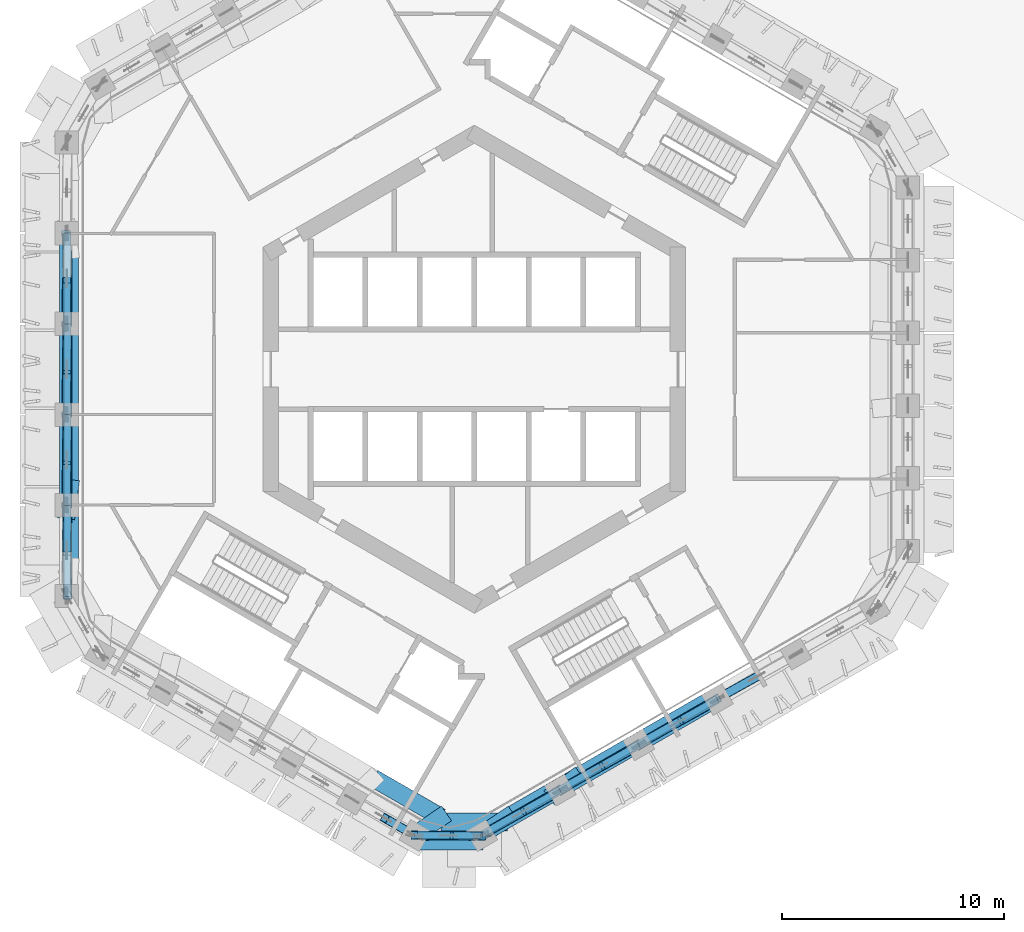
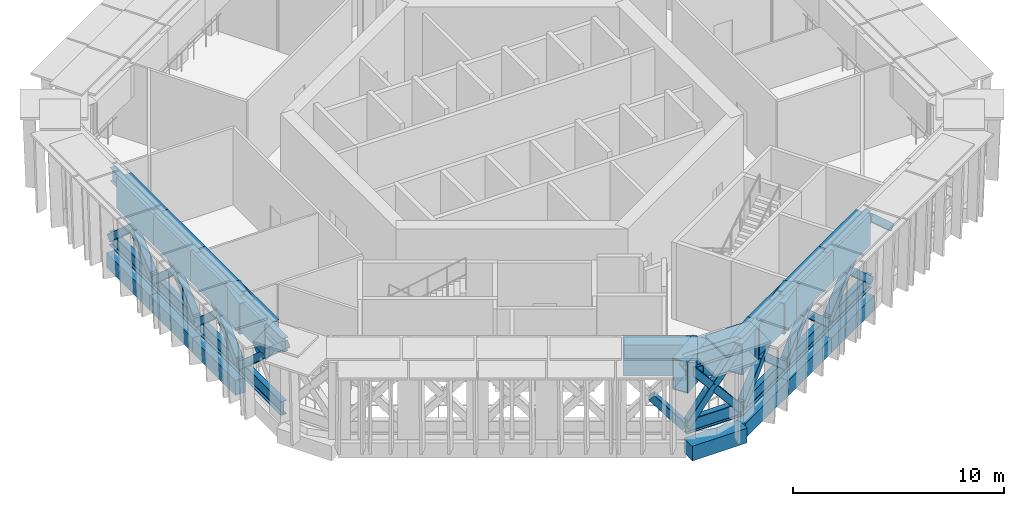
# One storey, part 2 of 18: 40 members, 20 beams.
"""IFC4 building model written with IfcOpenShell, lengths in metres."""

from ifc_helpers import new_model, si_unit, direction, frame, origin, origin_2d, place, context, subcontext, project, spatial, rectangle, hollow_rectangle, i_section, extrude, material, material_profile, profile_set, type_object, element, save


model = new_model("IFC4")

# Units and contexts
model_context = context("Model", 3, precision=1e-05, world=origin(), true_north=direction((0.0, 1.0)))
body_context = subcontext(model_context, "Body", "Model", "MODEL_VIEW")
ifc_project = project(units=[si_unit("LENGTHUNIT", "METRE"), si_unit("AREAUNIT", "SQUARE_METRE"), si_unit("VOLUMEUNIT", "CUBIC_METRE"), si_unit("PLANEANGLEUNIT", "RADIAN"), si_unit("MASSUNIT", "GRAM", prefix="KILO")], contexts=[model_context])

# Site, building, storey
site_placement = place(None, origin())
site = spatial("IfcSite", under=ifc_project, at=site_placement, CompositionType="ELEMENT")
building_placement = place(site_placement, origin())
building = spatial("IfcBuilding", under=site, at=building_placement, Name="Ayvan Gate Tower", CompositionType="ELEMENT")
storey_placement = place(building_placement, frame((0.0, 0.0, 147.89990234375)))
storey = spatial("IfcBuildingStorey", under=building, at=storey_placement, Name="L39", CompositionType="ELEMENT", Elevation=147.89990234375)

# Members
ifc_material_1 = material(Name="Steel S460NH", Category="steel")
ifc_material_profile_1 = material_profile(ifc_material_1, hollow_rectangle(XDim=0.39990234375, YDim=0.39990234375, WallThickness=0.02001953125, InnerFilletRadius=0.02001953125, OuterFilletRadius=0.030029296875, at=origin_2d()), Name="RHS 400x400x20")
ifc_profile_set_1 = profile_set([ifc_material_profile_1], Name="Steel S460NH")
member_type_1 = type_object("IfcMemberType", Name="Belt truss brace BT2 RHS 400x400x20", PredefinedType="BRACE", material=ifc_profile_set_1)
member_1_placement = place(storey_placement, frame((-18.347412109375, 6.10498046875, 0.400146484375), z_axis=(0.011666906722, -0.743821179521, 0.668276840975), x_axis=(0.999877011572, 0.015683167069, 0.0)))
element("IfcMember", 1, at=member_1_placement, inside=storey, type_object=member_type_1, Name="BT2-DA-20", PredefinedType="BRACE", context=body_context, shape_type="SweptSolid", body=[
    extrude(hollow_rectangle(XDim=0.39990234375, YDim=0.39990234375, WallThickness=0.02001953125, InnerFilletRadius=0.02001953125, OuterFilletRadius=0.030029296875, at=origin_2d()), origin(), (0.0, 0.0, 1.0), 5.461669921875),
])
member_2_placement = place(storey_placement, frame((-18.347412109375, 2.034912109375, 0.400146484375), z_axis=(0.011578375221, 0.746203126236, 0.665617634699), x_axis=(-0.999879642626, 0.015514517791, 0.0)))
element("IfcMember", 2, at=member_2_placement, inside=storey, type_object=member_type_1, Name="BT2-DB-20", PredefinedType="BRACE", context=body_context, shape_type="SweptSolid", body=[
    extrude(hollow_rectangle(XDim=0.39990234375, YDim=0.39990234375, WallThickness=0.02001953125, InnerFilletRadius=0.02001953125, OuterFilletRadius=0.030029296875, at=origin_2d()), origin(), (0.0, 0.0, 1.0), 2.6357421875),
])
member_3_placement = place(storey_placement, frame((-18.347412109375, 2.034912109375, 0.400146484375), z_axis=(0.011643272386, -0.745035602016, 0.666923073477), x_axis=(0.999877908192, 0.015625898691, 0.0)))
element("IfcMember", 3, at=member_3_placement, inside=storey, type_object=member_type_1, Name="BT2-DA-21", PredefinedType="BRACE", context=body_context, shape_type="SweptSolid", body=[
    extrude(hollow_rectangle(XDim=0.39990234375, YDim=0.39990234375, WallThickness=0.02001953125, InnerFilletRadius=0.02001953125, OuterFilletRadius=0.030029296875, at=origin_2d()), origin(), (0.0, 0.0, 1.0), 5.47265625),
])
member_4_placement = place(storey_placement, frame((-18.347412109375, -2.034912109375, 0.400146484375), z_axis=(0.011603131917, 0.745013894146, 0.666948022607), x_axis=(-0.999878741352, 0.015572494726, 0.0)))
element("IfcMember", 4, at=member_4_placement, inside=storey, type_object=member_type_1, Name="BT2-DB-21", PredefinedType="BRACE", context=body_context, shape_type="SweptSolid", body=[
    extrude(hollow_rectangle(XDim=0.39990234375, YDim=0.39990234375, WallThickness=0.02001953125, InnerFilletRadius=0.02001953125, OuterFilletRadius=0.030029296875, at=origin_2d()), origin(), (0.0, 0.0, 1.0), 2.630126953125),
])
member_5_placement = place(storey_placement, frame((-18.314453125, 0.075439453125, 2.289306640625), z_axis=(0.011651489409, 0.745048017182, 0.666909060434), x_axis=(-0.999877739909, 0.015636663178, 0.0)))
element("IfcMember", 5, at=member_5_placement, inside=storey, type_object=member_type_1, Name="BT2-DC-21", PredefinedType="BRACE", context=body_context, shape_type="SweptSolid", body=[
    extrude(hollow_rectangle(XDim=0.39990234375, YDim=0.39990234375, WallThickness=0.02001953125, InnerFilletRadius=0.02001953125, OuterFilletRadius=0.030029296875, at=origin_2d()), origin(), (0.0, 0.0, 1.0), 2.64013671875),
])
member_6_placement = place(storey_placement, frame((-18.347412109375, -2.034912109375, 0.400146484375), z_axis=(0.011619695406, -0.746242660541, 0.665572591283), x_axis=(0.999878795043, 0.015569046982, 0.0)))
element("IfcMember", 6, at=member_6_placement, inside=storey, type_object=member_type_1, Name="BT2-DA-22", PredefinedType="BRACE", context=body_context, shape_type="SweptSolid", body=[
    extrude(hollow_rectangle(XDim=0.39990234375, YDim=0.39990234375, WallThickness=0.02001953125, InnerFilletRadius=0.02001953125, OuterFilletRadius=0.030029296875, at=origin_2d()), origin(), (0.0, 0.0, 1.0), 5.48388671875),
])
member_7_placement = place(storey_placement, frame((-18.347412109375, -6.10498046875, 0.400146484375), z_axis=(0.011627152903, 0.743858734101, 0.668235731622), x_axis=(-0.999877860464, 0.015628952427, 0.0)))
element("IfcMember", 7, at=member_7_placement, inside=storey, type_object=member_type_1, Name="BT2-DB-22", PredefinedType="BRACE", context=body_context, shape_type="SweptSolid", body=[
    extrude(hollow_rectangle(XDim=0.39990234375, YDim=0.39990234375, WallThickness=0.02001953125, InnerFilletRadius=0.02001953125, OuterFilletRadius=0.030029296875, at=origin_2d()), origin(), (0.0, 0.0, 1.0), 2.624755859375),
])
member_8_placement = place(storey_placement, frame((-18.314453125, -4.001953125, 2.28955078125), z_axis=(0.011677129463, 0.743814611658, 0.668283972672), x_axis=(-0.999876793813, 0.015697044109, 0.0)))
element("IfcMember", 8, at=member_8_placement, inside=storey, type_object=member_type_1, Name="BT2-DC-22", PredefinedType="BRACE", context=body_context, shape_type="SweptSolid", body=[
    extrude(hollow_rectangle(XDim=0.39990234375, YDim=0.39990234375, WallThickness=0.02001953125, InnerFilletRadius=0.02001953125, OuterFilletRadius=0.030029296875, at=origin_2d()), origin(), (0.0, 0.0, 1.0), 2.63427734375),
])
member_9_placement = place(storey_placement, frame((-18.347412109375, -6.10498046875, 0.400146484375), z_axis=(0.011596560999, -0.747422793555, 0.664247459496), x_axis=(0.999879657962, 0.01551352935, 0.0)))
element("IfcMember", 9, at=member_9_placement, inside=storey, type_object=member_type_1, Name="BT2-DA-23", PredefinedType="BRACE", context=body_context, shape_type="SweptSolid", body=[
    extrude(hollow_rectangle(XDim=0.39990234375, YDim=0.39990234375, WallThickness=0.02001953125, InnerFilletRadius=0.02001953125, OuterFilletRadius=0.030029296875, at=origin_2d()), origin(), (0.0, 0.0, 1.0), 5.494873046875),
])
member_10_placement = place(storey_placement, frame((-18.314453125, -8.07958984375, 2.28955078125), z_axis=(0.011700500681, 0.742610348746, 0.669621511168), x_axis=(-0.99987589878, 0.015753953138, 0.0)))
element("IfcMember", 10, at=member_10_placement, inside=storey, type_object=member_type_1, Name="BT2-DC-23", PredefinedType="BRACE", context=body_context, shape_type="SweptSolid", body=[
    extrude(hollow_rectangle(XDim=0.39990234375, YDim=0.39990234375, WallThickness=0.02001953125, InnerFilletRadius=0.02001953125, OuterFilletRadius=0.030029296875, at=origin_2d()), origin(), (0.0, 0.0, 1.0), 2.629150390625),
])
member_11_placement = place(storey_placement, frame((-2.63818359375, -20.976806640625, 0.400146484375), z_axis=(-0.583277648818, 0.336747134572, 0.739181000667), x_axis=(-0.499990676028, -0.866030786915, 0.0)))
element("IfcMember", 11, at=member_11_placement, inside=storey, type_object=member_type_1, Name="BT2-DB-29", PredefinedType="BRACE", context=body_context, shape_type="SweptSolid", body=[
    extrude(hollow_rectangle(XDim=0.39990234375, YDim=0.39990234375, WallThickness=0.02001953125, InnerFilletRadius=0.02001953125, OuterFilletRadius=0.030029296875, at=origin_2d()), origin(), (0.0, 0.0, 1.0), 2.378662109375),
])
member_12_placement = place(storey_placement, frame((-2.63818359375, -20.976806640625, 0.400146484375), z_axis=(0.626834417574, 0.007817190109, 0.779113280906), x_axis=(-0.012469931585, 0.99992224738, 0.0)))
element("IfcMember", 12, at=member_12_placement, inside=storey, type_object=member_type_1, Name="BT2-DA-30", PredefinedType="BRACE", context=body_context, shape_type="SweptSolid", body=[
    extrude(hollow_rectangle(XDim=0.39990234375, YDim=0.39990234375, WallThickness=0.02001953125, InnerFilletRadius=0.02001953125, OuterFilletRadius=0.030029296875, at=origin_2d()), origin(), (0.0, 0.0, 1.0), 4.6845703125),
])
member_13_placement = place(storey_placement, frame((0.36181640625, -20.976806640625, 0.400146484375), z_axis=(-0.642911610942, 0.007713653722, 0.765901534182), x_axis=(-0.011997136858, -0.999928031764, 0.0)))
element("IfcMember", 13, at=member_13_placement, inside=storey, type_object=member_type_1, Name="BT2-DB-30", PredefinedType="BRACE", context=body_context, shape_type="SweptSolid", body=[
    extrude(hollow_rectangle(XDim=0.39990234375, YDim=0.39990234375, WallThickness=0.02001953125, InnerFilletRadius=0.02001953125, OuterFilletRadius=0.030029296875, at=origin_2d()), origin(), (0.0, 0.0, 1.0), 2.27880859375),
])
member_14_placement = place(storey_placement, frame((-1.23681640625, -20.957763671875, 2.3046875), z_axis=(-0.64284875267, 0.007714185032, 0.765954288806), x_axis=(-0.011999136093, -0.999928007775, 0.0)))
element("IfcMember", 14, at=member_14_placement, inside=storey, type_object=member_type_1, Name="BT2-DC-30", PredefinedType="BRACE", context=body_context, shape_type="SweptSolid", body=[
    extrude(hollow_rectangle(XDim=0.39990234375, YDim=0.39990234375, WallThickness=0.02001953125, InnerFilletRadius=0.02001953125, OuterFilletRadius=0.030029296875, at=origin_2d()), origin(), (0.0, 0.0, 1.0), 2.278564453125),
])
member_15_placement = place(storey_placement, frame((0.36181640625, -20.976806640625, 0.400146484375), z_axis=(0.637303793953, 0.381423790098, 0.669596719347), x_axis=(-0.513546543525, 0.858061738824, 0.0)))
element("IfcMember", 15, at=member_15_placement, inside=storey, type_object=member_type_1, Name="BT2-DA-31", PredefinedType="BRACE", context=body_context, shape_type="SweptSolid", body=[
    extrude(hollow_rectangle(XDim=0.39990234375, YDim=0.39990234375, WallThickness=0.02001953125, InnerFilletRadius=0.02001953125, OuterFilletRadius=0.030029296875, at=origin_2d()), origin(), (0.0, 0.0, 1.0), 5.450927734375),
])
member_16_placement = place(storey_placement, frame((3.88671875, -18.94189453125, 0.400146484375), z_axis=(-0.653078055112, -0.363653088296, 0.664263114514), x_axis=(0.486493181254, -0.873684373554, 0.0)))
element("IfcMember", 16, at=member_16_placement, inside=storey, type_object=member_type_1, Name="BT2-DB-31", PredefinedType="BRACE", context=body_context, shape_type="SweptSolid", body=[
    extrude(hollow_rectangle(XDim=0.39990234375, YDim=0.39990234375, WallThickness=0.02001953125, InnerFilletRadius=0.02001953125, OuterFilletRadius=0.030029296875, at=origin_2d()), origin(), (0.0, 0.0, 1.0), 2.64111328125),
])
member_17_placement = place(storey_placement, frame((2.029541015625, -19.97607421875, 2.2890625), z_axis=(-0.653044465976, -0.363682498398, 0.664280035691), x_axis=(0.486542313623, -0.873657013395, 0.0)))
element("IfcMember", 17, at=member_17_placement, inside=storey, type_object=member_type_1, Name="BT2-DC-31", PredefinedType="BRACE", context=body_context, shape_type="SweptSolid", body=[
    extrude(hollow_rectangle(XDim=0.39990234375, YDim=0.39990234375, WallThickness=0.02001953125, InnerFilletRadius=0.02001953125, OuterFilletRadius=0.030029296875, at=origin_2d()), origin(), (0.0, 0.0, 1.0), 2.65087890625),
])
member_18_placement = place(storey_placement, frame((3.88671875, -18.94189453125, 0.400146484375), z_axis=(0.638330629774, 0.382014955325, 0.668280316185), x_axis=(-0.513523391629, 0.858075594718, 0.0)))
element("IfcMember", 18, at=member_18_placement, inside=storey, type_object=member_type_1, Name="BT2-DA-32", PredefinedType="BRACE", context=body_context, shape_type="SweptSolid", body=[
    extrude(hollow_rectangle(XDim=0.39990234375, YDim=0.39990234375, WallThickness=0.02001953125, InnerFilletRadius=0.02001953125, OuterFilletRadius=0.030029296875, at=origin_2d()), origin(), (0.0, 0.0, 1.0), 5.461669921875),
])
member_19_placement = place(storey_placement, frame((7.411376953125, -16.906982421875, 0.400146484375), z_axis=(-0.652025742032, -0.363018736045, 0.665642418276), x_axis=(0.486443681258, -0.873711934773, 0.0)))
element("IfcMember", 19, at=member_19_placement, inside=storey, type_object=member_type_1, Name="BT2-DB-32", PredefinedType="BRACE", context=body_context, shape_type="SweptSolid", body=[
    extrude(hollow_rectangle(XDim=0.39990234375, YDim=0.39990234375, WallThickness=0.02001953125, InnerFilletRadius=0.02001953125, OuterFilletRadius=0.030029296875, at=origin_2d()), origin(), (0.0, 0.0, 1.0), 2.6357421875),
])
member_20_placement = place(storey_placement, frame((5.560791015625, -17.937255859375, 2.2890625), z_axis=(-0.652049032103, -0.363028713883, 0.665614161981), x_axis=(0.486440623829, -0.873713637005, 0.0)))
element("IfcMember", 20, at=member_20_placement, inside=storey, type_object=member_type_1, Name="BT2-DC-32", PredefinedType="BRACE", context=body_context, shape_type="SweptSolid", body=[
    extrude(hollow_rectangle(XDim=0.39990234375, YDim=0.39990234375, WallThickness=0.02001953125, InnerFilletRadius=0.02001953125, OuterFilletRadius=0.030029296875, at=origin_2d()), origin(), (0.0, 0.0, 1.0), 2.645751953125),
])
member_21_placement = place(storey_placement, frame((7.411376953125, -16.906982421875, 0.400146484375), z_axis=(0.639393277939, 0.38261886171, 0.666917568212), x_axis=(-0.513491725978, 0.85809454453, 0.0)))
element("IfcMember", 21, at=member_21_placement, inside=storey, type_object=member_type_1, Name="BT2-DA-33", PredefinedType="BRACE", context=body_context, shape_type="SweptSolid", body=[
    extrude(hollow_rectangle(XDim=0.39990234375, YDim=0.39990234375, WallThickness=0.02001953125, InnerFilletRadius=0.02001953125, OuterFilletRadius=0.030029296875, at=origin_2d()), origin(), (0.0, 0.0, 1.0), 5.472900390625),
])
member_22_placement = place(storey_placement, frame((10.93603515625, -14.871826171875, 0.400146484375), z_axis=(-0.65103870069, -0.362461666124, 0.666910901691), x_axis=(0.486435967475, -0.873716229417, 0.0)))
element("IfcMember", 22, at=member_22_placement, inside=storey, type_object=member_type_1, Name="BT2-DB-33", PredefinedType="BRACE", context=body_context, shape_type="SweptSolid", body=[
    extrude(hollow_rectangle(XDim=0.39990234375, YDim=0.39990234375, WallThickness=0.02001953125, InnerFilletRadius=0.02001953125, OuterFilletRadius=0.030029296875, at=origin_2d()), origin(), (0.0, 0.0, 1.0), 2.63037109375),
])
member_23_placement = place(storey_placement, frame((9.092041015625, -15.8984375, 2.289306640625), z_axis=(-0.651065827707, -0.362473802672, 0.66687782267), x_axis=(0.486432928726, -0.873717921214, 0.0)))
element("IfcMember", 23, at=member_23_placement, inside=storey, type_object=member_type_1, Name="BT2-DC-33", PredefinedType="BRACE", context=body_context, shape_type="SweptSolid", body=[
    extrude(hollow_rectangle(XDim=0.39990234375, YDim=0.39990234375, WallThickness=0.02001953125, InnerFilletRadius=0.02001953125, OuterFilletRadius=0.030029296875, at=origin_2d()), origin(), (0.0, 0.0, 1.0), 2.640380859375),
])
member_24_placement = place(storey_placement, frame((12.623046875, -13.85986328125, 2.28955078125), z_axis=(-0.650013307331, -0.36179811118, 0.668270025543), x_axis=(0.486340866511, -0.873769169496, 0.0)))
element("IfcMember", 24, at=member_24_placement, inside=storey, type_object=member_type_1, Name="BT2-DC-34", PredefinedType="BRACE", context=body_context, shape_type="SweptSolid", body=[
    extrude(hollow_rectangle(XDim=0.39990234375, YDim=0.39990234375, WallThickness=0.02001953125, InnerFilletRadius=0.02001953125, OuterFilletRadius=0.030029296875, at=origin_2d()), origin(), (0.0, 0.0, 1.0), 2.634521484375),
])
ifc_material_2 = material(Name="Steel S460ML", Category="steel")
ifc_material_profile_2 = material_profile(ifc_material_2, i_section(OverallWidth=0.300048828125, OverallDepth=0.800048828125, WebThickness=0.017578125, FlangeThickness=0.032958984375, FilletRadius=0.030029296875, at=origin_2d()), Name="HE 800 B")
ifc_profile_set_2 = profile_set([ifc_material_profile_2], Name="Steel S460ML")
member_type_2 = type_object("IfcMemberType", Name="Belt truss chord BT2 HE 800 B", PredefinedType="CHORD", material=ifc_profile_set_2)
member_25_placement = place(storey_placement, frame((-18.347412109375, 6.10498046875, 0.400146484375), z_axis=(0.0, -1.0, 0.0), x_axis=(1.0, 0.0, 0.0)))
element("IfcMember", 25, at=member_25_placement, inside=storey, type_object=member_type_2, Name="BT2-BC-20", PredefinedType="CHORD", context=body_context, shape_type="SweptSolid", body=[
    extrude(i_section(OverallWidth=0.300048828125, OverallDepth=0.800048828125, WebThickness=0.017578125, FlangeThickness=0.032958984375, FilletRadius=0.030029296875, at=origin_2d()), origin(), (0.0, 0.0, 1.0), 4.070068359375),
])
member_26_placement = place(storey_placement, frame((-18.28369140625, 6.127197265625, 4.050048828125), z_axis=(0.0, -1.0, 0.0), x_axis=(1.0, 0.0, 0.0)))
element("IfcMember", 26, at=member_26_placement, inside=storey, type_object=member_type_2, Name="BT2-TC-20", PredefinedType="CHORD", context=body_context, shape_type="SweptSolid", body=[
    extrude(i_section(OverallWidth=0.300048828125, OverallDepth=0.800048828125, WebThickness=0.017578125, FlangeThickness=0.032958984375, FilletRadius=0.030029296875, at=origin_2d()), origin(), (0.0, 0.0, 1.0), 4.084716796875),
])
member_27_placement = place(storey_placement, frame((-18.347412109375, 2.034912109375, 0.400146484375), z_axis=(0.0, -1.0, 0.0), x_axis=(1.0, 0.0, 0.0)))
element("IfcMember", 27, at=member_27_placement, inside=storey, type_object=member_type_2, Name="BT2-BC-21", PredefinedType="CHORD", context=body_context, shape_type="SweptSolid", body=[
    extrude(i_section(OverallWidth=0.300048828125, OverallDepth=0.800048828125, WebThickness=0.017578125, FlangeThickness=0.032958984375, FilletRadius=0.030029296875, at=origin_2d()), origin(), (0.0, 0.0, 1.0), 4.06982421875),
])
member_28_placement = place(storey_placement, frame((-18.28369140625, 2.04248046875, 4.050048828125), z_axis=(0.0, -1.0, 0.0), x_axis=(1.0, 0.0, 0.0)))
element("IfcMember", 28, at=member_28_placement, inside=storey, type_object=member_type_2, Name="BT2-TC-21", PredefinedType="CHORD", context=body_context, shape_type="SweptSolid", body=[
    extrude(i_section(OverallWidth=0.300048828125, OverallDepth=0.800048828125, WebThickness=0.017578125, FlangeThickness=0.032958984375, FilletRadius=0.030029296875, at=origin_2d()), origin(), (0.0, 0.0, 1.0), 4.0849609375),
])
member_29_placement = place(storey_placement, frame((-18.347412109375, -2.034912109375, 0.400146484375), z_axis=(0.0, -1.0, 0.0), x_axis=(1.0, 0.0, 0.0)))
element("IfcMember", 29, at=member_29_placement, inside=storey, type_object=member_type_2, Name="BT2-BC-22", PredefinedType="CHORD", context=body_context, shape_type="SweptSolid", body=[
    extrude(i_section(OverallWidth=0.300048828125, OverallDepth=0.800048828125, WebThickness=0.017578125, FlangeThickness=0.032958984375, FilletRadius=0.030029296875, at=origin_2d()), origin(), (0.0, 0.0, 1.0), 4.070068359375),
])
member_30_placement = place(storey_placement, frame((-18.28369140625, -2.04248046875, 4.050048828125), z_axis=(0.0, -1.0, 0.0), x_axis=(1.0, 0.0, 0.0)))
element("IfcMember", 30, at=member_30_placement, inside=storey, type_object=member_type_2, Name="BT2-TC-22", PredefinedType="CHORD", context=body_context, shape_type="SweptSolid", body=[
    extrude(i_section(OverallWidth=0.300048828125, OverallDepth=0.800048828125, WebThickness=0.017578125, FlangeThickness=0.032958984375, FilletRadius=0.030029296875, at=origin_2d()), origin(), (0.0, 0.0, 1.0), 4.084716796875),
])
member_31_placement = place(storey_placement, frame((-18.347412109375, -6.10498046875, 0.400146484375), z_axis=(0.0, -1.0, 0.0), x_axis=(1.0, 0.0, 0.0)))
element("IfcMember", 31, at=member_31_placement, inside=storey, type_object=member_type_2, Name="BT2-BC-23", PredefinedType="CHORD", context=body_context, shape_type="SweptSolid", body=[
    extrude(i_section(OverallWidth=0.300048828125, OverallDepth=0.800048828125, WebThickness=0.017578125, FlangeThickness=0.032958984375, FilletRadius=0.030029296875, at=origin_2d()), origin(), (0.0, 0.0, 1.0), 4.070068359375),
])
member_32_placement = place(storey_placement, frame((-18.28369140625, -6.127197265625, 4.050048828125), z_axis=(0.0, -1.0, 0.0), x_axis=(1.0, 0.0, 0.0)))
element("IfcMember", 32, at=member_32_placement, inside=storey, type_object=member_type_2, Name="BT2-TC-23", PredefinedType="CHORD", context=body_context, shape_type="SweptSolid", body=[
    extrude(i_section(OverallWidth=0.300048828125, OverallDepth=0.800048828125, WebThickness=0.017578125, FlangeThickness=0.032958984375, FilletRadius=0.030029296875, at=origin_2d()), origin(), (0.0, 0.0, 1.0), 4.084716796875),
])
for number, where, z_axis, x_axis, name in (
    (33, (-2.63818359375, -20.976806640625, 0.400146484375), (1.0, 0.0, 0.0), (0.0, 1.0, 0.0), "BT2-BC-30"),
    (34, (-2.70166015625, -20.940185546875, 4.050048828125), (1.0, 0.0, 0.0), (0.0, 1.0, 0.0), "BT2-TC-30"),
):
    element("IfcMember", number, at=place(storey_placement, frame(where, z_axis=z_axis, x_axis=x_axis)), inside=storey, type_object=member_type_2, Name=name, PredefinedType="CHORD", context=body_context, shape_type="SweptSolid", body=[
        extrude(i_section(OverallWidth=0.300048828125, OverallDepth=0.800048828125, WebThickness=0.017578125, FlangeThickness=0.032958984375, FilletRadius=0.030029296875, at=origin_2d()), origin(), (0.0, 0.0, 1.0), 3.0),
    ])
member_33_placement = place(storey_placement, frame((0.36181640625, -20.976806640625, 0.400146484375), z_axis=(0.866045745349, 0.499964765721, 0.0), x_axis=(-0.499964765721, 0.866045745349, 0.0)))
element("IfcMember", 35, at=member_33_placement, inside=storey, type_object=member_type_2, Name="BT2-BC-31", PredefinedType="CHORD", context=body_context, shape_type="SweptSolid", body=[
    extrude(i_section(OverallWidth=0.300048828125, OverallDepth=0.800048828125, WebThickness=0.017578125, FlangeThickness=0.032958984375, FilletRadius=0.030029296875, at=origin_2d()), origin(), (0.0, 0.0, 1.0), 4.070068359375),
])
member_34_placement = place(storey_placement, frame((0.29833984375, -20.940185546875, 4.050048828125), z_axis=(0.866005424181, 0.500034604092, 0.0), x_axis=(-0.500034604092, 0.866005424181, 0.0)))
element("IfcMember", 36, at=member_34_placement, inside=storey, type_object=member_type_2, Name="BT2-TC-31", PredefinedType="CHORD", context=body_context, shape_type="SweptSolid", body=[
    extrude(i_section(OverallWidth=0.300048828125, OverallDepth=0.800048828125, WebThickness=0.017578125, FlangeThickness=0.032958984375, FilletRadius=0.030029296875, at=origin_2d()), origin(), (0.0, 0.0, 1.0), 4.084716796875),
])
member_35_placement = place(storey_placement, frame((3.88671875, -18.94189453125, 0.400146484375), z_axis=(0.86603075035, 0.499990739362, 0.0), x_axis=(-0.499990739362, 0.86603075035, 0.0)))
element("IfcMember", 37, at=member_35_placement, inside=storey, type_object=member_type_2, Name="BT2-BC-32", PredefinedType="CHORD", context=body_context, shape_type="SweptSolid", body=[
    extrude(i_section(OverallWidth=0.300048828125, OverallDepth=0.800048828125, WebThickness=0.017578125, FlangeThickness=0.032958984375, FilletRadius=0.030029296875, at=origin_2d()), origin(), (0.0, 0.0, 1.0), 4.06982421875),
])
member_36_placement = place(storey_placement, frame((3.835693359375, -18.897705078125, 4.050048828125), z_axis=(0.866031306094, 0.49998977676, 0.0), x_axis=(-0.49998977676, 0.866031306094, 0.0)))
element("IfcMember", 38, at=member_36_placement, inside=storey, type_object=member_type_2, Name="BT2-TC-32", PredefinedType="CHORD", context=body_context, shape_type="SweptSolid", body=[
    extrude(i_section(OverallWidth=0.300048828125, OverallDepth=0.800048828125, WebThickness=0.017578125, FlangeThickness=0.032958984375, FilletRadius=0.030029296875, at=origin_2d()), origin(), (0.0, 0.0, 1.0), 4.08447265625),
])
member_37_placement = place(storey_placement, frame((7.411376953125, -16.906982421875, 0.400146484375), z_axis=(0.866004775196, 0.500035728062, 0.0), x_axis=(-0.500035728062, 0.866004775196, 0.0)))
element("IfcMember", 39, at=member_37_placement, inside=storey, type_object=member_type_2, Name="BT2-BC-33", PredefinedType="CHORD", context=body_context, shape_type="SweptSolid", body=[
    extrude(i_section(OverallWidth=0.300048828125, OverallDepth=0.800048828125, WebThickness=0.017578125, FlangeThickness=0.032958984375, FilletRadius=0.030029296875, at=origin_2d()), origin(), (0.0, 0.0, 1.0), 4.070068359375),
])
member_38_placement = place(storey_placement, frame((7.373046875, -16.85546875, 4.050048828125), z_axis=(0.866020367552, 0.500008722908, 0.0), x_axis=(-0.500008722908, 0.866020367552, 0.0)))
element("IfcMember", 40, at=member_38_placement, inside=storey, type_object=member_type_2, Name="BT2-TC-33", PredefinedType="CHORD", context=body_context, shape_type="SweptSolid", body=[
    extrude(i_section(OverallWidth=0.300048828125, OverallDepth=0.800048828125, WebThickness=0.017578125, FlangeThickness=0.032958984375, FilletRadius=0.030029296875, at=origin_2d()), origin(), (0.0, 0.0, 1.0), 4.0849609375),
])

# Beams
ifc_material_3 = material(Name="Concrete C40/50", Category="concrete")
ifc_material_profile_3 = material_profile(ifc_material_3, rectangle(XDim=0.800048828125, YDim=0.85009765625, at=origin_2d()), Name="RC 800x850")
ifc_profile_set_3 = profile_set([ifc_material_profile_3], Name="Concrete C40/50")
beam_type_1 = type_object("IfcBeamType", Name="Corner spandrel beam RC 800x850 C40/50", PredefinedType="BEAM", material=ifc_profile_set_3)
beam_1_placement = place(storey_placement, frame((-2.61669921875, -21.209228515625, -0.824951171875), z_axis=(1.0, 0.0, 0.0), x_axis=(0.0, 1.0, 0.0)))
element("IfcBeam", 41, at=beam_1_placement, inside=storey, type_object=beam_type_1, Name="SB-L39-30", PredefinedType="BEAM", context=body_context, shape_type="SweptSolid", body=[
    extrude(rectangle(XDim=0.800048828125, YDim=0.85009765625, at=origin_2d()), origin(), (0.0, 0.0, 1.0), 3.0),
])
ifc_material_profile_4 = material_profile(ifc_material_3, rectangle(XDim=0.550048828125, YDim=0.85009765625, at=origin_2d()), Name="RC 550x850")
ifc_profile_set_4 = profile_set([ifc_material_profile_4], Name="Concrete C40/50")
beam_type_2 = type_object("IfcBeamType", Name="Spandrel beam RC 550x850 C40/50", PredefinedType="BEAM", material=ifc_profile_set_4)
beam_2_placement = place(storey_placement, frame((-18.368896484375, 6.09765625, -0.824951171875), z_axis=(0.0, -1.0, 0.0), x_axis=(1.0, 0.0, 0.0)))
element("IfcBeam", 42, at=beam_2_placement, inside=storey, type_object=beam_type_2, Name="SB-L39-20", PredefinedType="BEAM", context=body_context, shape_type="SweptSolid", body=[
    extrude(rectangle(XDim=0.550048828125, YDim=0.85009765625, at=origin_2d()), origin(), (0.0, 0.0, 1.0), 4.065185546875),
])
beam_3_placement = place(storey_placement, frame((-18.368896484375, 2.032470703125, -0.824951171875), z_axis=(0.0, -1.0, 0.0), x_axis=(1.0, 0.0, 0.0)))
element("IfcBeam", 43, at=beam_3_placement, inside=storey, type_object=beam_type_2, Name="SB-L39-21", PredefinedType="BEAM", context=body_context, shape_type="SweptSolid", body=[
    extrude(rectangle(XDim=0.550048828125, YDim=0.85009765625, at=origin_2d()), origin(), (0.0, 0.0, 1.0), 4.06494140625),
])
for number, where, z_axis, x_axis, name in (
    (44, (-18.368896484375, -2.032470703125, -0.824951171875), (0.0, -1.0, 0.0), (1.0, 0.0, 0.0), "SB-L39-22"),
    (45, (0.38330078125, -20.9892578125, -0.824951171875), (0.866035568818, 0.499982393232, 0.0), (-0.499982393232, 0.866035568818, 0.0), "SB-L39-31"),
    (46, (3.90380859375, -18.956787109375, -0.824951171875), (0.866009563185, 0.50002743572, 0.0), (-0.50002743572, 0.866009563185, 0.0), "SB-L39-32"),
):
    element("IfcBeam", number, at=place(storey_placement, frame(where, z_axis=z_axis, x_axis=x_axis)), inside=storey, type_object=beam_type_2, Name=name, PredefinedType="BEAM", context=body_context, shape_type="SweptSolid", body=[
        extrude(rectangle(XDim=0.550048828125, YDim=0.85009765625, at=origin_2d()), origin(), (0.0, 0.0, 1.0), 4.065185546875),
    ])
beam_4_placement = place(storey_placement, frame((7.42431640625, -16.924072265625, -0.824951171875), z_axis=(0.866020554218, 0.500008399602, 0.0), x_axis=(-0.500008399602, 0.866020554218, 0.0)))
element("IfcBeam", 47, at=beam_4_placement, inside=storey, type_object=beam_type_2, Name="SB-L39-33", PredefinedType="BEAM", context=body_context, shape_type="SweptSolid", body=[
    extrude(rectangle(XDim=0.550048828125, YDim=0.85009765625, at=origin_2d()), origin(), (0.0, 0.0, 1.0), 4.06494140625),
])
ifc_material_profile_5 = material_profile(ifc_material_2, hollow_rectangle(XDim=0.800048828125, YDim=1.800048828125, WallThickness=0.050048828125, at=origin_2d()), Name="BOX 800x1800x50")
ifc_profile_set_5 = profile_set([ifc_material_profile_5], Name="Steel S460ML")
beam_type_3 = type_object("IfcBeamType", Name="Transfer ring girder BOX 800x1800x50", PredefinedType="BEAM", material=ifc_profile_set_5)
beam_5_placement = place(storey_placement, frame((-18.1865234375, 5.2607421875, 3.550048828125), z_axis=(0.0, -1.0, 0.0), x_axis=(1.0, 0.0, 0.0)))
element("IfcBeam", 48, at=beam_5_placement, inside=storey, type_object=beam_type_3, Name="TR-L39-20", PredefinedType="BEAM", context=body_context, shape_type="SweptSolid", body=[
    extrude(hollow_rectangle(XDim=0.800048828125, YDim=1.800048828125, WallThickness=0.050048828125, at=origin_2d()), origin(), (0.0, 0.0, 1.0), 3.507080078125),
])
beam_6_placement = place(storey_placement, frame((-18.1865234375, 1.753662109375, 3.550048828125), z_axis=(0.0, -1.0, 0.0), x_axis=(1.0, 0.0, 0.0)))
element("IfcBeam", 49, at=beam_6_placement, inside=storey, type_object=beam_type_3, Name="TR-L39-21", PredefinedType="BEAM", context=body_context, shape_type="SweptSolid", body=[
    extrude(hollow_rectangle(XDim=0.800048828125, YDim=1.800048828125, WallThickness=0.050048828125, at=origin_2d()), origin(), (0.0, 0.0, 1.0), 3.50732421875),
])
beam_7_placement = place(storey_placement, frame((-18.1865234375, -1.753662109375, 3.550048828125), z_axis=(0.0, -1.0, 0.0), x_axis=(1.0, 0.0, 0.0)))
element("IfcBeam", 50, at=beam_7_placement, inside=storey, type_object=beam_type_3, Name="TR-L39-22", PredefinedType="BEAM", context=body_context, shape_type="SweptSolid", body=[
    extrude(hollow_rectangle(XDim=0.800048828125, YDim=1.800048828125, WallThickness=0.050048828125, at=origin_2d()), origin(), (0.0, 0.0, 1.0), 3.507080078125),
])
for number, where, z_axis, x_axis, name in (
    (51, (-18.1865234375, -5.2607421875, 3.550048828125), (0.0, -1.0, 0.0), (1.0, 0.0, 0.0), "TR-L39-23"),
    (52, (-4.537353515625, -18.38037109375, 3.550048828125), (0.866019818373, -0.500009674092, 0.0), (0.500009674092, 0.866019818373, 0.0), "TR-L39-29"),
):
    element("IfcBeam", number, at=place(storey_placement, frame(where, z_axis=z_axis, x_axis=x_axis)), inside=storey, type_object=beam_type_3, Name=name, PredefinedType="BEAM", context=body_context, shape_type="SweptSolid", body=[
        extrude(hollow_rectangle(XDim=0.800048828125, YDim=1.800048828125, WallThickness=0.050048828125, at=origin_2d()), origin(), (0.0, 0.0, 1.0), 3.50732421875),
    ])
beam_8_placement = place(storey_placement, frame((-1.5, -20.35400390625, 3.550048828125), z_axis=(1.0, 0.0, 0.0), x_axis=(0.0, 1.0, 0.0)))
element("IfcBeam", 53, at=beam_8_placement, inside=storey, type_object=beam_type_3, Name="TR-L39-30", PredefinedType="BEAM", context=body_context, shape_type="SweptSolid", body=[
    extrude(hollow_rectangle(XDim=0.800048828125, YDim=1.800048828125, WallThickness=0.050048828125, at=origin_2d()), origin(), (0.0, 0.0, 1.0), 3.0),
])
for number, where, z_axis, x_axis, name in (
    (54, (1.5, -20.134033203125, 3.550048828125), (0.866019818373, 0.500009674092, 0.0), (-0.500009674092, 0.866019818373, 0.0), "TR-L39-31"),
    (55, (4.537353515625, -18.38037109375, 3.550048828125), (0.866019818373, 0.500009674092, 0.0), (-0.500009674092, 0.866019818373, 0.0), "TR-L39-32"),
):
    element("IfcBeam", number, at=place(storey_placement, frame(where, z_axis=z_axis, x_axis=x_axis)), inside=storey, type_object=beam_type_3, Name=name, PredefinedType="BEAM", context=body_context, shape_type="SweptSolid", body=[
        extrude(hollow_rectangle(XDim=0.800048828125, YDim=1.800048828125, WallThickness=0.050048828125, at=origin_2d()), origin(), (0.0, 0.0, 1.0), 3.50732421875),
    ])
beam_9_placement = place(storey_placement, frame((7.57470703125, -16.626708984375, 3.550048828125), z_axis=(0.86603255856, 0.499987607361, 0.0), x_axis=(-0.499987607361, 0.86603255856, 0.0)))
element("IfcBeam", 56, at=beam_9_placement, inside=storey, type_object=beam_type_3, Name="TR-L39-33", PredefinedType="BEAM", context=body_context, shape_type="SweptSolid", body=[
    extrude(hollow_rectangle(XDim=0.800048828125, YDim=1.800048828125, WallThickness=0.050048828125, at=origin_2d()), origin(), (0.0, 0.0, 1.0), 3.5068359375),
])
beam_10_placement = place(storey_placement, frame((-18.36572265625, -6.7197265625, 3.550048828125), z_axis=(0.121929443176, 0.99253877047, 0.0), x_axis=(-0.99253877047, 0.121929443176, 0.0)))
element("IfcBeam", 57, at=beam_10_placement, inside=storey, type_object=beam_type_3, Name="TS-L39-T3-4", PredefinedType="BEAM", context=body_context, shape_type="SweptSolid", body=[
    extrude(hollow_rectangle(XDim=0.800048828125, YDim=1.800048828125, WallThickness=0.050048828125, at=origin_2d()), origin(), (0.0, 0.0, 1.0), 1.77001953125),
])
for number, where, z_axis, x_axis, name in (
    (58, (-3.02392578125, -21.170166015625, 3.550048828125), (0.826949812182, 0.562275740303, 0.0), (-0.562275740303, 0.826949812182, 0.0), "TS-L39-T4-5"),
    (59, (-0.02392578125, -21.170166015625, 3.550048828125), (0.826949812182, 0.562275740303, 0.0), (-0.562275740303, 0.826949812182, 0.0), "TS-L39-T5-0"),
):
    element("IfcBeam", number, at=place(storey_placement, frame(where, z_axis=z_axis, x_axis=x_axis)), inside=storey, type_object=beam_type_3, Name=name, PredefinedType="BEAM", context=body_context, shape_type="SweptSolid", body=[
        extrude(hollow_rectangle(XDim=0.800048828125, YDim=1.800048828125, WallThickness=0.050048828125, at=origin_2d()), origin(), (0.0, 0.0, 1.0), 2.142822265625),
    ])
beam_11_placement = place(storey_placement, frame((3.36328125, -19.264892578125, 3.550048828125), z_axis=(0.798706973663, 0.601720176014, 0.0), x_axis=(-0.601720176014, 0.798706973663, 0.0)))
element("IfcBeam", 60, at=beam_11_placement, inside=storey, type_object=beam_type_3, Name="TS-L39-T5-1", PredefinedType="BEAM", context=body_context, shape_type="SweptSolid", body=[
    extrude(hollow_rectangle(XDim=0.800048828125, YDim=1.800048828125, WallThickness=0.050048828125, at=origin_2d()), origin(), (0.0, 0.0, 1.0), 1.769775390625),
])

save(model, "model.ifc")
